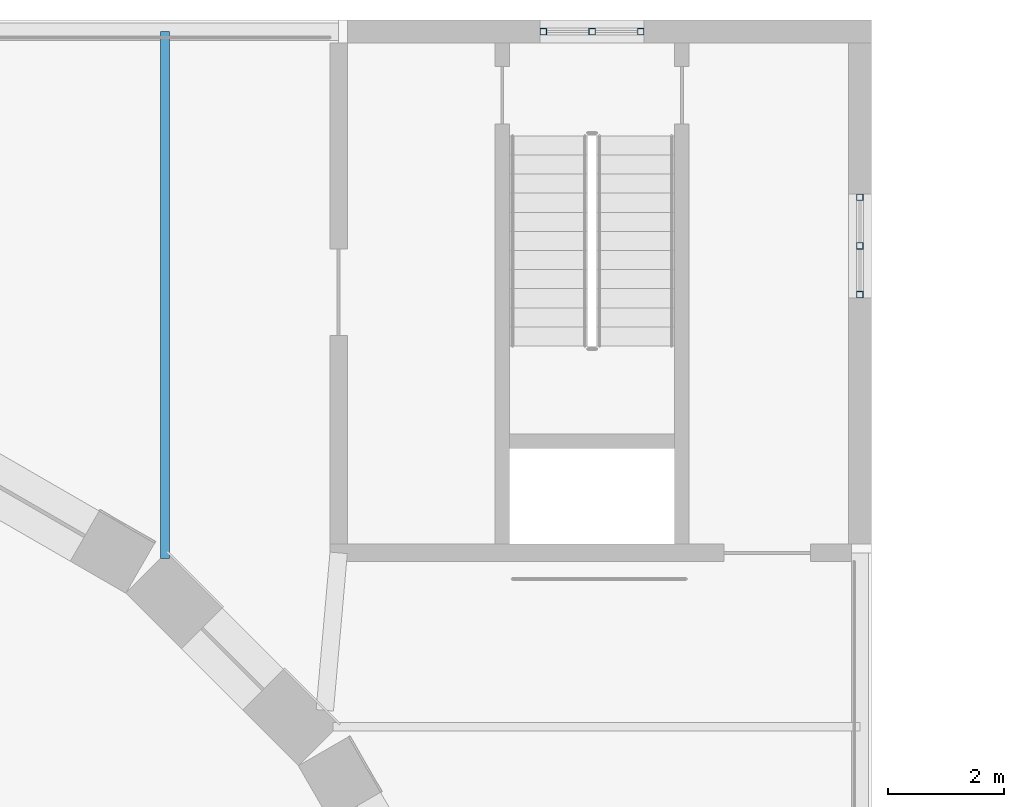
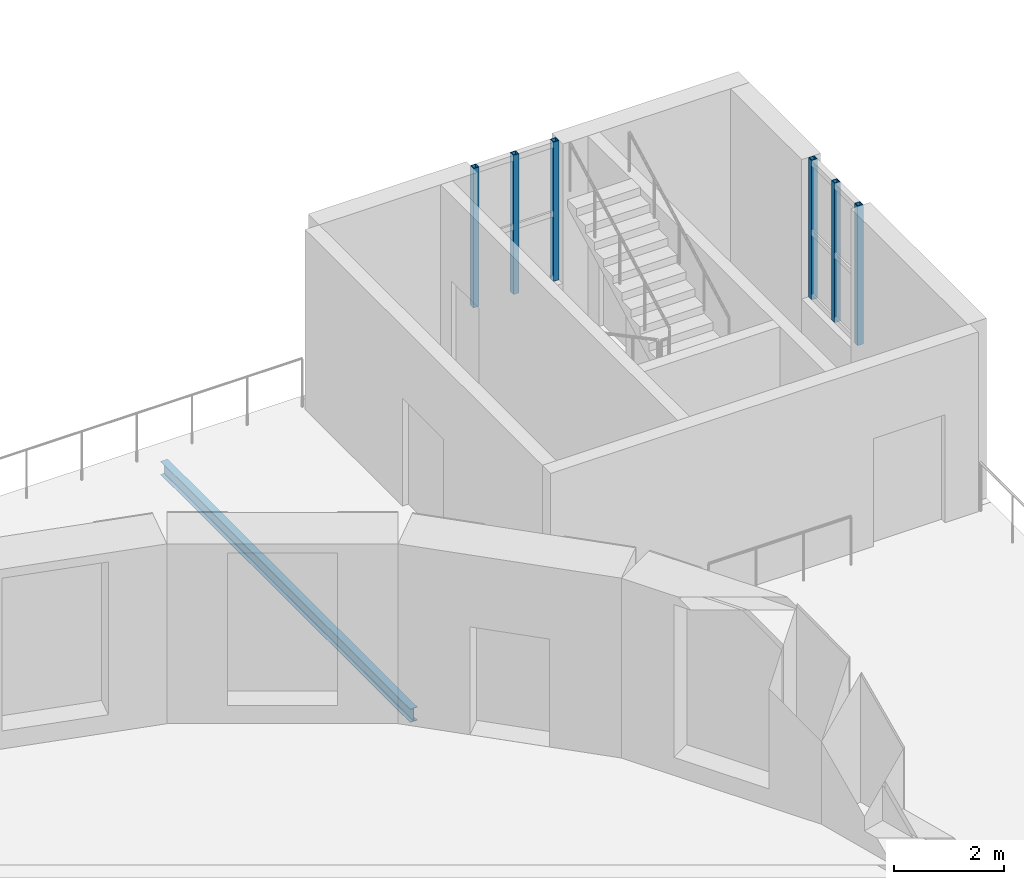
# One storey, part 57 of 154: 6 members, 1 beam, 2 elements without a shape of their own.
"""IFC4 building model written with IfcOpenShell, lengths in metres."""

from ifc_helpers import new_model, si_unit, direction, frame, origin, origin_2d, place, context, subcontext, project, spatial, hollow_rectangle, i_section, extrude, material, material_profile, profile_set, type_object, element, aggregate, save


model = new_model("IFC4")

# Units and contexts
model_context = context("Model", 3, precision=1e-05, world=origin(), true_north=direction((0.0, 1.0)))
body_context = subcontext(model_context, "Body", "Model", "MODEL_VIEW")
ifc_project = project(units=[si_unit("LENGTHUNIT", "METRE"), si_unit("AREAUNIT", "SQUARE_METRE"), si_unit("VOLUMEUNIT", "CUBIC_METRE"), si_unit("PLANEANGLEUNIT", "RADIAN"), si_unit("MASSUNIT", "GRAM", prefix="KILO")], contexts=[model_context])

# Site, building, storey
site_placement = place(None, origin())
site = spatial("IfcSite", under=ifc_project, at=site_placement, CompositionType="ELEMENT")
building_placement = place(site_placement, origin())
building = spatial("IfcBuilding", under=site, at=building_placement, Name="Golden Quay Civic Hall", CompositionType="ELEMENT")
storey_placement = place(building_placement, frame((0.0, 0.0, 14.39990234375)))
storey = spatial("IfcBuildingStorey", under=building, at=storey_placement, Name="L03", CompositionType="ELEMENT", Elevation=14.39990234375)

# Curtain wall, members
ifc_material_1 = material(Name="Fire-resisting glass and steel", Category="steel")
curtain_wall_type = type_object("IfcCurtainWallType", Name="Fire-resisting glazed stair curtain wall EI 120", PredefinedType="NOTDEFINED", material=ifc_material_1)
curtain_wall_1_placement = place(storey_placement, origin())
curtain_wall_1 = element("IfcCurtainWall", 1, at=curtain_wall_1_placement, inside=storey, type_object=curtain_wall_type, Name="CW4 stair curtain wall", PredefinedType="NOTDEFINED")
ifc_material_2 = material(Name="Steel S355", Category="steel")
ifc_material_profile_1 = material_profile(ifc_material_2, hollow_rectangle(XDim=0.1201171875, YDim=0.1201171875, WallThickness=0.012451171875, at=origin_2d()), Name="SHS 120x120x12.5")
ifc_profile_set_1 = profile_set([ifc_material_profile_1], Name="Steel S355")
member_type = type_object("IfcMemberType", Name="Fire-resisting steel stair mullion 120 x 120", PredefinedType="MULLION", material=ifc_profile_set_1)
member_1_placement = place(storey_placement, frame((102.534912109375, 108.0, 0.900146484375), z_axis=(0.0, 0.0, 1.0), x_axis=(0.0, 1.0, 0.0)))
member_1 = element("IfcMember", 2, at=member_1_placement, type_object=member_type, Name="CW4 mullion 1", PredefinedType="MULLION", context=body_context, shape_type="SweptSolid", body=[
    extrude(hollow_rectangle(XDim=0.1201171875, YDim=0.1201171875, WallThickness=0.012451171875, at=origin_2d()), origin(), (0.0, 0.0, 1.0), 3.099853515625),
])
member_2_placement = place(storey_placement, frame((103.375, 108.0, 0.900146484375), z_axis=(0.0, 0.0, 1.0), x_axis=(0.0, 1.0, 0.0)))
member_2 = element("IfcMember", 3, at=member_2_placement, type_object=member_type, Name="CW4 mullion 2", PredefinedType="MULLION", context=body_context, shape_type="SweptSolid", body=[
    extrude(hollow_rectangle(XDim=0.1201171875, YDim=0.1201171875, WallThickness=0.012451171875, at=origin_2d()), origin(), (0.0, 0.0, 1.0), 3.099853515625),
])
member_3_placement = place(storey_placement, frame((104.215087890625, 108.0, 0.900146484375), z_axis=(0.0, 0.0, 1.0), x_axis=(0.0, 1.0, 0.0)))
member_3 = element("IfcMember", 4, at=member_3_placement, type_object=member_type, Name="CW4 mullion 3", PredefinedType="MULLION", context=body_context, shape_type="SweptSolid", body=[
    extrude(hollow_rectangle(XDim=0.1201171875, YDim=0.1201171875, WallThickness=0.012451171875, at=origin_2d()), origin(), (0.0, 0.0, 1.0), 3.099853515625),
])
aggregate(curtain_wall_1, [member_1, member_2, member_3])

curtain_wall_2_placement = place(storey_placement, origin())
curtain_wall_2 = element("IfcCurtainWall", 5, at=curtain_wall_2_placement, inside=storey, type_object=curtain_wall_type, Name="CW4 stair curtain wall", PredefinedType="NOTDEFINED")
member_4_placement = place(storey_placement, frame((108.0, 103.4599609375, 0.900146484375), z_axis=(0.0, 0.0, 1.0), x_axis=(-1.0, 0.0, 0.0)))
member_4 = element("IfcMember", 6, at=member_4_placement, type_object=member_type, Name="CW4 mullion 1", PredefinedType="MULLION", context=body_context, shape_type="SweptSolid", body=[
    extrude(hollow_rectangle(XDim=0.1201171875, YDim=0.1201171875, WallThickness=0.012451171875, at=origin_2d()), origin(), (0.0, 0.0, 1.0), 3.099853515625),
])
member_5_placement = place(storey_placement, frame((108.0, 104.300048828125, 0.900146484375), z_axis=(0.0, 0.0, 1.0), x_axis=(-1.0, 0.0, 0.0)))
member_5 = element("IfcMember", 7, at=member_5_placement, type_object=member_type, Name="CW4 mullion 2", PredefinedType="MULLION", context=body_context, shape_type="SweptSolid", body=[
    extrude(hollow_rectangle(XDim=0.1201171875, YDim=0.1201171875, WallThickness=0.012451171875, at=origin_2d()), origin(), (0.0, 0.0, 1.0), 3.099853515625),
])
member_6_placement = place(storey_placement, frame((108.0, 105.139892578125, 0.900146484375), z_axis=(0.0, 0.0, 1.0), x_axis=(-1.0, 0.0, 0.0)))
member_6 = element("IfcMember", 8, at=member_6_placement, type_object=member_type, Name="CW4 mullion 3", PredefinedType="MULLION", context=body_context, shape_type="SweptSolid", body=[
    extrude(hollow_rectangle(XDim=0.1201171875, YDim=0.1201171875, WallThickness=0.012451171875, at=origin_2d()), origin(), (0.0, 0.0, 1.0), 3.099853515625),
])
aggregate(curtain_wall_2, [member_4, member_5, member_6])

# Beam
ifc_material_3 = material(Name="Steel S355", Category="steel")
ifc_material_profile_2 = material_profile(ifc_material_3, i_section(OverallWidth=0.14990234375, OverallDepth=0.300048828125, WebThickness=0.007080078125, FlangeThickness=0.0107421875, FilletRadius=0.014892578125, at=origin_2d()), Name="IPE 300")
ifc_profile_set_2 = profile_set([ifc_material_profile_2], Name="Steel S355")
beam_type = type_object("IfcBeamType", Name="Steel joist IPE 300", PredefinedType="JOIST", material=ifc_profile_set_2)
beam_placement = place(storey_placement, frame((96.0, 108.0, -0.39990234375), z_axis=(0.0, -1.0, 0.0), x_axis=(1.0, 0.0, 0.0)))
element("IfcBeam", 9, at=beam_placement, inside=storey, type_object=beam_type, Name="Floor joist 12", PredefinedType="JOIST", context=body_context, shape_type="SweptSolid", body=[
    extrude(i_section(OverallWidth=0.14990234375, OverallDepth=0.300048828125, WebThickness=0.007080078125, FlangeThickness=0.0107421875, FilletRadius=0.014892578125, at=origin_2d()), origin(), (0.0, 0.0, 1.0), 9.099853515625),
])

save(model, "model.ifc")
